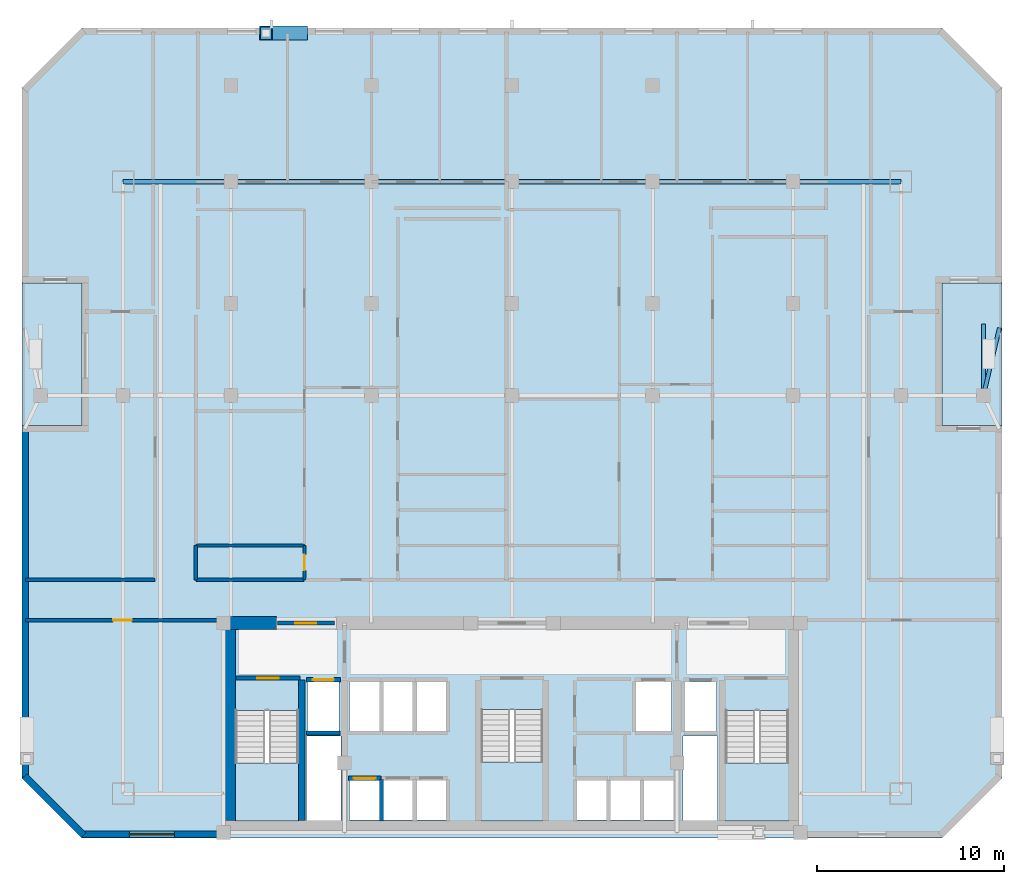
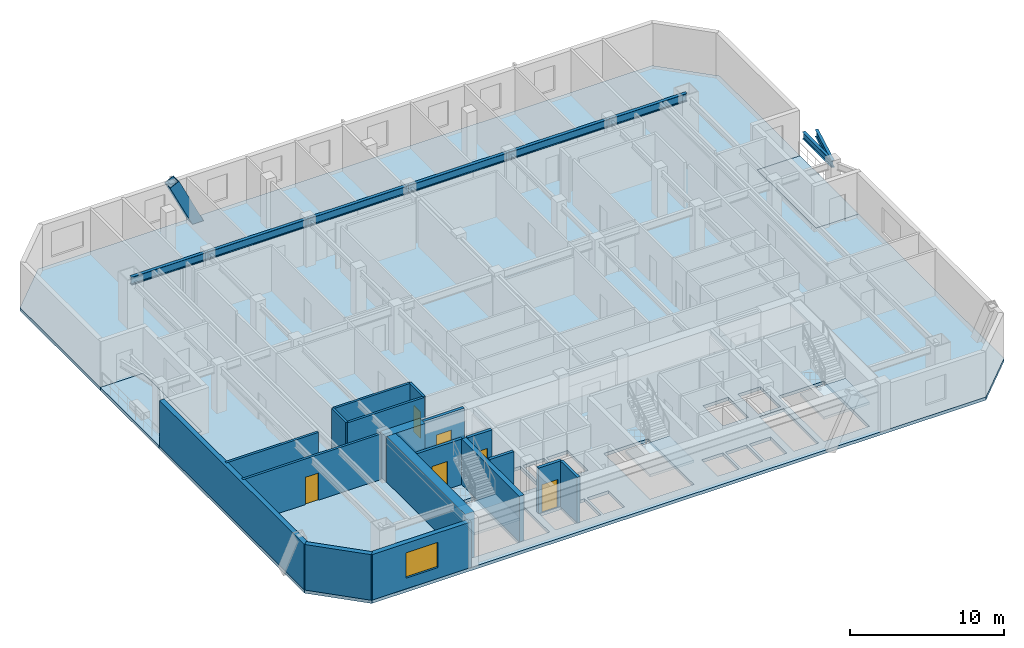
# One storey, part 2 of 9: 18 walls, 8 beams, 6 doors, 6 slabs, 1 member, 1 window, 7 openings, 3 elements without a shape of their own.
"""IFC4 building model written with IfcOpenShell, lengths in metres."""

from ifc_helpers import new_model, si_unit, direction, frame, frame_2d, origin, origin_2d, place, context, subcontext, project, spatial, polyline, rectangle, hollow_rectangle, i_section, outline, extrude, material, layer, layer_set, material_profile, profile_set, type_object, element, fill, aggregate, save


model = new_model("IFC4")

# Units and contexts
model_context = context("Model", 3, precision=1e-05, world=origin(), true_north=direction((0.0, 1.0)))
body_context = subcontext(model_context, "Body", "Model", "MODEL_VIEW")
ifc_project = project(units=[si_unit("LENGTHUNIT", "METRE"), si_unit("AREAUNIT", "SQUARE_METRE"), si_unit("VOLUMEUNIT", "CUBIC_METRE"), si_unit("PLANEANGLEUNIT", "RADIAN"), si_unit("MASSUNIT", "GRAM", prefix="KILO")], contexts=[model_context])

# Site, building, storey
site_placement = place(None, origin())
site = spatial("IfcSite", under=ifc_project, at=site_placement, CompositionType="ELEMENT")
building_placement = place(site_placement, origin())
building = spatial("IfcBuilding", under=site, at=building_placement, Name="Ventersveld Concourse Tower", CompositionType="ELEMENT")
storey_placement = place(building_placement, frame((0.0, 0.0, 115.699951171875)))
storey = spatial("IfcBuildingStorey", under=building, at=storey_placement, Name="L28", CompositionType="ELEMENT", Elevation=115.699951171875)

# Beams
ifc_material_1 = material(Name="Structural steel S355J2", Category="steel")
ifc_material_profile_1 = material_profile(ifc_material_1, i_section(OverallWidth=0.230224609375, OverallDepth=0.6171875, WebThickness=0.01318359375, FlangeThickness=0.022216796875, FilletRadius=0.0126953125, at=origin_2d()), Name="UB 610x229x140")
ifc_profile_set_1 = profile_set([ifc_material_profile_1], Name="Structural steel S355J2")
beam_type_1 = type_object("IfcBeamType", Name="GRD-UB610", PredefinedType="USERDEFINED", material=ifc_profile_set_1)
beam_1_placement = place(storey_placement, frame((8.0, 35.0, 3.29150390625), z_axis=(1.0, 0.0, 0.0), x_axis=(0.0, 1.0, 0.0)))
element("IfcBeam", 1, at=beam_1_placement, inside=storey, type_object=beam_type_1, Name="L28 E-W Grid Girder Y=35.00 #1", ObjectType="GIRDER", PredefinedType="USERDEFINED", context=body_context, shape_type="SweptSolid", body=[
    extrude(i_section(OverallWidth=0.230224609375, OverallDepth=0.6171875, WebThickness=0.01318359375, FlangeThickness=0.022216796875, FilletRadius=0.0126953125, at=origin_2d()), origin(), (0.0, 0.0, 1.0), 5.75),
])
for number, where, z_axis, x_axis, name in (
    (2, (13.75, 35.0, 3.29150390625), (1.0, 0.0, 0.0), (0.0, 1.0, 0.0), "L28 E-W Grid Girder Y=35.00 #2"),
    (3, (21.25, 35.0, 3.29150390625), (1.0, 0.0, 0.0), (0.0, 1.0, 0.0), "L28 E-W Grid Girder Y=35.00 #3"),
    (4, (28.75, 35.0, 3.29150390625), (1.0, 0.0, 0.0), (0.0, 1.0, 0.0), "L28 E-W Grid Girder Y=35.00 #4"),
    (5, (36.25, 35.0, 3.29150390625), (1.0, 0.0, 0.0), (0.0, 1.0, 0.0), "L28 E-W Grid Girder Y=35.00 #5"),
):
    element("IfcBeam", number, at=place(storey_placement, frame(where, z_axis=z_axis, x_axis=x_axis)), inside=storey, type_object=beam_type_1, Name=name, ObjectType="GIRDER", PredefinedType="USERDEFINED", context=body_context, shape_type="SweptSolid", body=[
        extrude(i_section(OverallWidth=0.230224609375, OverallDepth=0.6171875, WebThickness=0.01318359375, FlangeThickness=0.022216796875, FilletRadius=0.0126953125, at=origin_2d()), origin(), (0.0, 0.0, 1.0), 7.5),
    ])
beam_2_placement = place(storey_placement, frame((43.75, 35.0, 3.29150390625), z_axis=(1.0, 0.0, 0.0), x_axis=(0.0, 1.0, 0.0)))
element("IfcBeam", 6, at=beam_2_placement, inside=storey, type_object=beam_type_1, Name="L28 E-W Grid Girder Y=35.00 #6", ObjectType="GIRDER", PredefinedType="USERDEFINED", context=body_context, shape_type="SweptSolid", body=[
    extrude(i_section(OverallWidth=0.230224609375, OverallDepth=0.6171875, WebThickness=0.01318359375, FlangeThickness=0.022216796875, FilletRadius=0.0126953125, at=origin_2d()), origin(), (0.0, 0.0, 1.0), 5.75),
])

# Member
ifc_material_2 = material(Name="Structural steel S355ML", Category="steel")
ifc_material_profile_2 = material_profile(ifc_material_2, hollow_rectangle(XDim=0.75, YDim=0.75, WallThickness=0.044921875, at=origin_2d()), Name="BOX 750x750x45")
ifc_profile_set_2 = profile_set([ifc_material_profile_2], Name="Structural steel S355ML")
member_type = type_object("IfcMemberType", Name="MB-750x750", PredefinedType="BRACE", material=ifc_profile_set_2)
member_placement = place(storey_placement, frame((17.5, 42.919921875, -0.25), z_axis=(-0.437839464193, 0.0, 0.899053170616), x_axis=(0.0, -1.0, 0.0)))
element("IfcMember", 7, at=member_placement, inside=storey, type_object=member_type, Name="L28 Exterior Mega-Brace N (Module M06)", PredefinedType="BRACE", context=body_context, shape_type="SweptSolid", body=[
    extrude(hollow_rectangle(XDim=0.75, YDim=0.75, WallThickness=0.044921875, at=origin_2d()), origin(), (0.0, 0.0, 1.0), 4.282470703125),
])

# Beams
ifc_material_profile_3 = material_profile(ifc_material_1, i_section(OverallWidth=0.2119140625, OverallDepth=0.54443359375, WebThickness=0.0126953125, FlangeThickness=0.021240234375, FilletRadius=0.0126953125, at=origin_2d()), Name="UB 533x210x122")
ifc_profile_set_3 = profile_set([ifc_material_profile_3], Name="Structural steel S355J2")
beam_type_2 = type_object("IfcBeamType", Name="SPD-UB533", PredefinedType="SPANDREL", material=ifc_profile_set_3)
beam_3_placement = place(storey_placement, frame((53.89990234375, 23.60009765625, 3.32763671875), z_axis=(0.0, 1.0, 0.0), x_axis=(-1.0, 0.0, 0.0)))
element("IfcBeam", 8, at=beam_3_placement, inside=storey, type_object=beam_type_2, Name="L28 East Valley Spine Girder", PredefinedType="SPANDREL", context=body_context, shape_type="SweptSolid", body=[
    extrude(i_section(OverallWidth=0.2119140625, OverallDepth=0.54443359375, WebThickness=0.0126953125, FlangeThickness=0.021240234375, FilletRadius=0.0126953125, at=origin_2d()), origin(), (0.0, 0.0, 1.0), 3.7998046875),
])
beam_4_placement = place(storey_placement, frame((53.89990234375, 23.60009765625, 3.32763671875), z_axis=(0.229826547993, 0.973231605445, 0.0), x_axis=(-0.973231605445, 0.229826547993, 0.0)))
element("IfcBeam", 9, at=beam_4_placement, inside=storey, type_object=beam_type_2, Name="L28 East Valley Corner Bracket 2", PredefinedType="SPANDREL", context=body_context, shape_type="SweptSolid", body=[
    extrude(i_section(OverallWidth=0.2119140625, OverallDepth=0.54443359375, WebThickness=0.0126953125, FlangeThickness=0.021240234375, FilletRadius=0.0126953125, at=origin_2d()), origin(), (0.0, 0.0, 1.0), 3.698974609375),
])

# Slabs
ifc_material_3 = material(Name="Concrete C50/60", Category="concrete")
ifc_layer_1 = layer(ifc_material_3, 0.25)
ifc_layer_set_1 = layer_set([ifc_layer_1], Name="Concrete C50/60")
slab_type_1 = type_object("IfcSlabType", Name="SL-FLR-250", PredefinedType="FLOOR", material=ifc_layer_set_1)
slab_1_placement = place(storey_placement, frame((0.0, 0.0, -0.25)))
element("IfcSlab", 10, at=slab_1_placement, inside=storey, type_object=slab_type_1, Name="L28 Composite Floor Slab", PredefinedType="FLOOR", context=body_context, shape_type="SweptSolid", body=[
    extrude(outline(polyline([(5.800048828125, 0.0), (51.699951171875, 0.0), (54.89990234375, 3.199951171875), (54.89990234375, 22.0), (51.699951171875, 22.0), (51.699951171875, 29.60009765625), (54.89990234375, 29.60009765625), (54.89990234375, 40.0), (51.699951171875, 43.199951171875), (5.800048828125, 43.199951171875), (2.60009765625, 40.0), (2.60009765625, 29.60009765625), (5.800048828125, 29.60009765625), (5.800048828125, 22.0), (2.60009765625, 22.0), (2.60009765625, 3.199951171875), (5.800048828125, 0.0)]), holes=[polyline([(13.97998046875, 6.794921875), (13.97998046875, 0.89990234375), (17.3798828125, 0.89990234375), (17.3798828125, 6.794921875), (13.97998046875, 6.794921875)]), polyline([(40.1201171875, 6.794921875), (40.1201171875, 0.89990234375), (43.52001953125, 0.89990234375), (43.52001953125, 6.794921875), (40.1201171875, 6.794921875)]), polyline([(27.10009765625, 6.844970703125), (27.10009765625, 0.89990234375), (30.39990234375, 0.89990234375), (30.39990234375, 6.844970703125), (27.10009765625, 6.844970703125)]), polyline([(17.85009765625, 5.699951171875), (19.530029296875, 5.699951171875), (19.530029296875, 8.300048828125), (17.85009765625, 8.300048828125), (17.85009765625, 5.699951171875)]), polyline([(37.969970703125, 5.699951171875), (39.64990234375, 5.699951171875), (39.64990234375, 8.300048828125), (37.969970703125, 8.300048828125), (37.969970703125, 5.699951171875)]), polyline([(35.35009765625, 5.699951171875), (37.25, 5.699951171875), (37.25, 8.300048828125), (35.35009765625, 8.300048828125), (35.35009765625, 5.699951171875)]), polyline([(20.090087890625, 0.949951171875), (21.68994140625, 0.949951171875), (21.68994140625, 3.050048828125), (20.090087890625, 3.050048828125), (20.090087890625, 0.949951171875)]), polyline([(21.8701171875, 0.949951171875), (23.469970703125, 0.949951171875), (23.469970703125, 3.050048828125), (21.8701171875, 3.050048828125), (21.8701171875, 0.949951171875)]), polyline([(23.64990234375, 0.949951171875), (25.25, 0.949951171875), (25.25, 3.050048828125), (23.64990234375, 3.050048828125), (23.64990234375, 0.949951171875)]), polyline([(32.2099609375, 0.949951171875), (33.81005859375, 0.949951171875), (33.81005859375, 3.050048828125), (32.2099609375, 3.050048828125), (32.2099609375, 0.949951171875)]), polyline([(33.989990234375, 0.949951171875), (35.590087890625, 0.949951171875), (35.590087890625, 3.050048828125), (33.989990234375, 3.050048828125), (33.989990234375, 0.949951171875)]), polyline([(35.77001953125, 0.949951171875), (37.3701171875, 0.949951171875), (37.3701171875, 3.050048828125), (35.77001953125, 3.050048828125), (35.77001953125, 0.949951171875)]), polyline([(20.090087890625, 5.699951171875), (21.68994140625, 5.699951171875), (21.68994140625, 8.300048828125), (20.090087890625, 8.300048828125), (20.090087890625, 5.699951171875)]), polyline([(21.8701171875, 5.699951171875), (23.469970703125, 5.699951171875), (23.469970703125, 8.300048828125), (21.8701171875, 8.300048828125), (21.8701171875, 5.699951171875)]), polyline([(23.64990234375, 5.699951171875), (25.25, 5.699951171875), (25.25, 8.300048828125), (23.64990234375, 8.300048828125), (23.64990234375, 5.699951171875)]), polyline([(17.780029296875, 0.919921875), (19.6201171875, 0.919921875), (19.6201171875, 5.419921875), (17.780029296875, 5.419921875), (17.780029296875, 0.919921875)]), polyline([(37.8798828125, 0.919921875), (39.719970703125, 0.919921875), (39.719970703125, 5.419921875), (37.8798828125, 5.419921875), (37.8798828125, 0.919921875)])]), origin(), (0.0, 0.0, 1.0), 0.25),
])
slab_2_placement = place(storey_placement, frame((0.0, 0.0, -0.25)))
element("IfcSlab", 11, at=slab_2_placement, inside=storey, type_object=slab_type_1, Name="L28 Outdoor Terrace Slab NOTCH-W", PredefinedType="FLOOR", context=body_context, shape_type="SweptSolid", body=[
    extrude(outline(polyline([(2.60009765625, 22.0), (5.800048828125, 22.0), (5.800048828125, 29.60009765625), (2.60009765625, 29.60009765625), (2.60009765625, 22.0)])), origin(), (0.0, 0.0, 1.0), 0.25),
])
slab_3_placement = place(storey_placement, frame((0.0, 0.0, -0.25)))
element("IfcSlab", 12, at=slab_3_placement, inside=storey, type_object=slab_type_1, Name="L28 Outdoor Terrace Slab NOTCH-E", PredefinedType="FLOOR", context=body_context, shape_type="SweptSolid", body=[
    extrude(outline(polyline([(51.699951171875, 22.0), (54.89990234375, 22.0), (54.89990234375, 29.60009765625), (51.699951171875, 29.60009765625), (51.699951171875, 22.0)])), origin(), (0.0, 0.0, 1.0), 0.25),
])

# Stair, slab
stair_type_1 = type_object("IfcStairType", Name="ST-DOG-160", PredefinedType="HALF_TURN_STAIR", material=ifc_material_3)
stair_1_placement = place(storey_placement, origin())
stair_1 = element("IfcStair", 13, at=stair_1_placement, inside=storey, type_object=stair_type_1, Name="L28 Protected Tower Escape Stair ST-01", PredefinedType="HALF_TURN_STAIR")
ifc_layer_2 = layer(ifc_material_3, 0.199951171875)
ifc_layer_set_2 = layer_set([ifc_layer_2], Name="Concrete C50/60")
slab_type_2 = type_object("IfcSlabType", Name="SL-LND-200", PredefinedType="LANDING", material=ifc_layer_set_2)
slab_4_placement = place(storey_placement, frame((0.0, 0.0, 1.72509765625)))
slab_4 = element("IfcSlab", 14, at=slab_4_placement, type_object=slab_type_2, Name="ST-01 landing 1", PredefinedType="LANDING", context=body_context, shape_type="SweptSolid", body=[
    extrude(outline(polyline([(13.97998046875, 4.0), (13.97998046875, 0.89990234375), (17.3798828125, 0.89990234375), (17.3798828125, 4.0), (13.97998046875, 4.0)])), origin(), (0.0, 0.0, 1.0), 0.199951171875),
])
aggregate(stair_1, [slab_4])

stair_2_placement = place(storey_placement, origin())
stair_2 = element("IfcStair", 15, at=stair_2_placement, inside=storey, type_object=stair_type_1, Name="L28 Protected Tower Escape Stair ST-02", PredefinedType="HALF_TURN_STAIR")
slab_5_placement = place(storey_placement, frame((0.0, 0.0, 1.72509765625)))
slab_5 = element("IfcSlab", 16, at=slab_5_placement, type_object=slab_type_2, Name="ST-02 landing 1", PredefinedType="LANDING", context=body_context, shape_type="SweptSolid", body=[
    extrude(outline(polyline([(40.1201171875, 4.0), (40.1201171875, 0.89990234375), (43.52001953125, 0.89990234375), (43.52001953125, 4.0), (40.1201171875, 4.0)])), origin(), (0.0, 0.0, 1.0), 0.199951171875),
])
aggregate(stair_2, [slab_5])

stair_type_2 = type_object("IfcStairType", Name="ST-DOG-155", PredefinedType="HALF_TURN_STAIR", material=ifc_material_3)
stair_3_placement = place(storey_placement, origin())
stair_3 = element("IfcStair", 17, at=stair_3_placement, inside=storey, type_object=stair_type_2, Name="L28 Protected Central Core Escape Stair ST-03", PredefinedType="HALF_TURN_STAIR")
slab_6_placement = place(storey_placement, frame((0.0, 0.0, 1.72509765625)))
slab_6 = element("IfcSlab", 18, at=slab_6_placement, type_object=slab_type_2, Name="ST-03 landing 1", PredefinedType="LANDING", context=body_context, shape_type="SweptSolid", body=[
    extrude(outline(polyline([(27.10009765625, 4.050048828125), (27.10009765625, 0.89990234375), (30.39990234375, 0.89990234375), (30.39990234375, 4.050048828125), (27.10009765625, 4.050048828125)])), origin(), (0.0, 0.0, 1.0), 0.199951171875),
])
aggregate(stair_3, [slab_6])

# Walls
ifc_material_4 = material(Name="Concrete C60/75", Category="concrete")
ifc_layer_3 = layer(ifc_material_4, 0.35009765625)
ifc_layer_set_3 = layer_set([ifc_layer_3], Name="Concrete C60/75")
wall_type_1 = type_object("IfcWallType", Name="WL-CORE-350L", PredefinedType="SHEAR", material=ifc_layer_set_3)
wall_1_placement = place(storey_placement, frame((17.5400390625, 0.919921875, 0.0), z_axis=(0.0, 0.0, 1.0), x_axis=(0.0, 1.0, 0.0)))
element("IfcWall", 19, at=wall_1_placement, inside=storey, type_object=wall_type_1, Name="L28 Core Internal Shear Web W-ST1-E", PredefinedType="SHEAR", context=body_context, shape_type="SweptSolid", body=[
    extrude(rectangle(XDim=7.5, YDim=0.35009765625, at=frame_2d((3.75, 0.0))), origin(), (0.0, 0.0, 1.0), 3.60009765625),
])
ifc_layer_4 = layer(ifc_material_4, 0.699951171875)
ifc_layer_set_4 = layer_set([ifc_layer_4], Name="Concrete C60/75")
wall_type_2 = type_object("IfcWallType", Name="WL-CORE-700", PredefinedType="SHEAR", material=ifc_layer_set_4)
wall_2_placement = place(storey_placement, frame((13.64990234375, 0.919921875, 0.0), z_axis=(0.0, 0.0, 1.0), x_axis=(0.0, 1.0, 0.0)))
element("IfcWall", 20, at=wall_2_placement, inside=storey, type_object=wall_type_2, Name="L28 Rear Core West Shear Wall", PredefinedType="SHEAR", context=body_context, shape_type="SweptSolid", body=[
    extrude(rectangle(XDim=10.530029296875, YDim=0.699951171875, at=frame_2d((5.26513671875, 0.0))), origin(), (0.0, 0.0, 1.0), 3.60009765625),
])
wall_3_placement = place(storey_placement, frame((13.25, 11.449951171875, 0.0), z_axis=(0.0, 0.0, 1.0), x_axis=(1.0, 0.0, 0.0)))
element("IfcWall", 21, at=wall_3_placement, inside=storey, type_object=wall_type_2, Name="L28 Rear Core North Shear Wall NW", PredefinedType="SHEAR", context=body_context, shape_type="SweptSolid", body=[
    extrude(rectangle(XDim=2.949951171875, YDim=0.699951171875, at=frame_2d((1.47509765625, 0.0))), origin(), (0.0, 0.0, 1.0), 3.60009765625),
])

# Wall, opening, door
ifc_material_5 = material(Name="Fire-rated autoclaved aerated masonry blockwork", Category="masonry")
ifc_layer_5 = layer(ifc_material_5, 0.179931640625)
ifc_layer_set_5 = layer_set([ifc_layer_5], Name="Fire-rated autoclaved aerated masonry blockwork")
wall_type_3 = type_object("IfcWallType", Name="WL-CORR-180", PredefinedType="PARTITIONING", material=ifc_layer_set_5)
wall_4_placement = place(storey_placement, frame((2.81005859375, 11.60009765625, 0.0), z_axis=(0.0, 0.0, 1.0), x_axis=(1.0, 0.0, 0.0)))
wall_4 = element("IfcWall", 22, at=wall_4_placement, inside=storey, type_object=wall_type_3, Name="L28 Interior Partition SP-L28-SW-GAL-SP-L28-COR", PredefinedType="PARTITIONING", context=body_context, shape_type="SweptSolid", body=[
    extrude(rectangle(XDim=10.3349609375, YDim=0.179931640625, at=frame_2d((5.16748046875, 0.0))), origin(), (0.0, 0.0, 1.0), 3.60009765625),
])
opening_1_placement = place(wall_4_placement, frame((4.66748046875, 0.0, 0.0)))
opening_1 = element("IfcOpeningElement", 23, at=opening_1_placement, cuts=wall_4, Name="Opening FD3", PredefinedType="OPENING", context=body_context, shape_type="SweptSolid", body=[
    extrude(rectangle(XDim=1.0, YDim=2.14990234375, at=frame_2d((0.5, 1.074951171875))), frame((0.0, 0.10009765625, 0.0), z_axis=(0.0, -1.0, 0.0), x_axis=(1.0, 0.0, 0.0)), (0.0, 0.0, 1.0), 0.199951171875),
])
ifc_material_6 = material(Name="Solid-core hardwood veneer timber", Category="wood")
door_type_1 = type_object("IfcDoorType", Name="DR-FLAT-100", OperationType="NOTDEFINED", PredefinedType="DOOR", material=ifc_material_6)
door_1_placement = place(opening_1_placement, origin())
door_1 = element("IfcDoor", 24, at=door_1_placement, inside=storey, type_object=door_type_1, Name="L28 Interior Door SP-L28-SW-GAL to SP-L28-COR (D-L28-1384)", OperationType="SINGLE_SWING_RIGHT", OverallHeight=2.14990234375, OverallWidth=1.0, PredefinedType="DOOR", context=body_context, shape_type="SweptSolid", body=[
    extrude(rectangle(XDim=1.0, YDim=2.14990234375, at=frame_2d((0.5, 1.074951171875))), frame((0.0, 0.02490234375, 0.0), z_axis=(0.0, -1.0, 0.0), x_axis=(1.0, 0.0, 0.0)), (0.0, 0.0, 1.0), 0.050048828125),
])
fill(opening_1, door_1)

# Walls
wall_5_placement = place(storey_placement, frame((2.81005859375, 13.77001953125, 0.0), z_axis=(0.0, 0.0, 1.0), x_axis=(1.0, 0.0, 0.0)))
element("IfcWall", 25, at=wall_5_placement, inside=storey, type_object=wall_type_3, Name="L28 Interior Partition SP-L28-COR-SP-L28-NWLNG1", PredefinedType="PARTITIONING", context=body_context, shape_type="SweptSolid", body=[
    extrude(rectangle(XDim=6.905029296875, YDim=0.179931640625, at=frame_2d((3.45263671875, 0.0))), origin(), (0.0, 0.0, 1.0), 3.60009765625),
])
wall_6_placement = place(storey_placement, frame((11.885009765625, 13.77001953125, 0.0), z_axis=(0.0, 0.0, 1.0), x_axis=(1.0, 0.0, 0.0)))
element("IfcWall", 26, at=wall_6_placement, inside=storey, type_object=wall_type_3, Name="L28 Interior Partition SP-L28-COR-SP-L28-28N1-BATH", PredefinedType="PARTITIONING", context=body_context, shape_type="SweptSolid", body=[
    extrude(rectangle(XDim=5.761474609375, YDim=0.179931640625, at=frame_2d((2.880859375, 0.0))), origin(), (0.0, 0.0, 1.0), 3.60009765625),
])
wall_7_placement = place(storey_placement, frame((11.889892578125, 13.764892578125, 0.0), z_axis=(0.0, 0.0, 1.0), x_axis=(0.0, 1.0, 0.0)))
element("IfcWall", 27, at=wall_7_placement, inside=storey, type_object=wall_type_3, Name="L28 Interior Partition SP-L28-COR-SP-L28-28N1-BATH", PredefinedType="PARTITIONING", context=body_context, shape_type="SweptSolid", body=[
    extrude(rectangle(XDim=1.840087890625, YDim=0.179931640625, at=frame_2d((0.919921875, 0.0))), origin(), (0.0, 0.0, 1.0), 3.60009765625),
])
ifc_layer_6 = layer(ifc_material_5, 0.219970703125)
ifc_layer_set_6 = layer_set([ifc_layer_6], Name="Fire-rated autoclaved aerated masonry blockwork")
wall_type_4 = type_object("IfcWallType", Name="WL-HOIST-220", PredefinedType="SOLIDWALL", material=ifc_layer_set_6)
wall_8_placement = place(storey_placement, frame((17.800048828125, 5.590087890625, 0.0), z_axis=(0.0, 0.0, 1.0), x_axis=(1.0, 0.0, 0.0)))
element("IfcWall", 28, at=wall_8_placement, inside=storey, type_object=wall_type_4, Name="L28 Lift Hoistway Back Wall FFL-01", PredefinedType="SOLIDWALL", context=body_context, shape_type="SweptSolid", body=[
    extrude(rectangle(XDim=1.780029296875, YDim=0.219970703125, at=frame_2d((0.89013671875, 0.0))), origin(), (0.0, 0.0, 1.0), 3.60009765625),
])

# Wall, opening, door
wall_9_placement = place(storey_placement, frame((17.780029296875, 8.429931640625, 0.0), z_axis=(0.0, 0.0, 1.0), x_axis=(1.0, 0.0, 0.0)))
wall_9 = element("IfcWall", 29, at=wall_9_placement, inside=storey, type_object=wall_type_4, Name="L28 Lift Hoistway Front Wall FFL-01", PredefinedType="SOLIDWALL", context=body_context, shape_type="SweptSolid", body=[
    extrude(rectangle(XDim=1.820068359375, YDim=0.219970703125, at=frame_2d((0.91015625, 0.0))), origin(), (0.0, 0.0, 1.0), 3.60009765625),
])
opening_2_placement = place(wall_9_placement, frame((0.35009765625, 0.0, 0.0)))
opening_2 = element("IfcOpeningElement", 30, at=opening_2_placement, cuts=wall_9, Name="Opening LD1", PredefinedType="OPENING", context=body_context, shape_type="SweptSolid", body=[
    extrude(rectangle(XDim=1.1201171875, YDim=2.25, at=frame_2d((0.56005859375, 1.125))), frame((0.0, 0.1201171875, 0.0), z_axis=(0.0, -1.0, 0.0), x_axis=(1.0, 0.0, 0.0)), (0.0, 0.0, 1.0), 0.239990234375),
])
ifc_material_7 = material(Name="Brushed stainless steel 316", Category="steel")
door_type_2 = type_object("IfcDoorType", Name="LD-FF-112", OperationType="SLIDING_TO_LEFT", PredefinedType="DOOR", material=ifc_material_7)
door_2_placement = place(opening_2_placement, origin())
door_2 = element("IfcDoor", 31, at=door_2_placement, inside=storey, type_object=door_type_2, Name="L28 Lift landing door FFL-01 (LD-L28-FFL-01)", OperationType="SLIDING_TO_LEFT", OverallHeight=2.25, OverallWidth=1.1201171875, PredefinedType="DOOR", context=body_context, shape_type="SweptSolid", body=[
    extrude(rectangle(XDim=1.1201171875, YDim=2.25, at=frame_2d((0.56005859375, 1.125))), frame((0.0, 0.02490234375, 0.0), z_axis=(0.0, -1.0, 0.0), x_axis=(1.0, 0.0, 0.0)), (0.0, 0.0, 1.0), 0.050048828125),
])
fill(opening_2, door_2)

# Wall
wall_10_placement = place(storey_placement, frame((21.780029296875, 0.89990234375, 0.0), z_axis=(0.0, 0.0, 1.0), x_axis=(0.0, 1.0, 0.0)))
element("IfcWall", 32, at=wall_10_placement, inside=storey, type_object=wall_type_4, Name="L28 Lift Hoistway Side Wall PL-01E", PredefinedType="SOLIDWALL", context=body_context, shape_type="SweptSolid", body=[
    extrude(rectangle(XDim=2.2001953125, YDim=0.219970703125, at=frame_2d((1.10009765625, 0.0))), origin(), (0.0, 0.0, 1.0), 3.60009765625),
])

# Wall, opening, door
wall_11_placement = place(storey_placement, frame((20.02001953125, 3.179931640625, 0.0), z_axis=(0.0, 0.0, 1.0), x_axis=(1.0, 0.0, 0.0)))
wall_11 = element("IfcWall", 33, at=wall_11_placement, inside=storey, type_object=wall_type_4, Name="L28 Lift Hoistway Front Wall PL-01", PredefinedType="SOLIDWALL", context=body_context, shape_type="SweptSolid", body=[
    extrude(rectangle(XDim=1.739990234375, YDim=0.219970703125, at=frame_2d((0.8701171875, 0.0))), origin(), (0.0, 0.0, 1.0), 3.60009765625),
])
opening_3_placement = place(wall_11_placement, frame((0.280029296875, 0.0, 0.0)))
opening_3 = element("IfcOpeningElement", 34, at=opening_3_placement, cuts=wall_11, Name="Opening LD2", PredefinedType="OPENING", context=body_context, shape_type="SweptSolid", body=[
    extrude(rectangle(XDim=1.179931640625, YDim=2.199951171875, at=frame_2d((0.58984375, 1.10009765625))), frame((0.0, 0.1201171875, 0.0), z_axis=(0.0, -1.0, 0.0), x_axis=(1.0, 0.0, 0.0)), (0.0, 0.0, 1.0), 0.239990234375),
])
door_type_3 = type_object("IfcDoorType", Name="LD-PAX-118", OperationType="SLIDING_TO_LEFT", PredefinedType="DOOR", material=ifc_material_7)
door_3_placement = place(opening_3_placement, origin())
door_3 = element("IfcDoor", 35, at=door_3_placement, inside=storey, type_object=door_type_3, Name="L28 Lift landing door PL-01 (LD-L28-PL-01)", OperationType="SLIDING_TO_RIGHT", OverallHeight=2.199951171875, OverallWidth=1.179931640625, PredefinedType="DOOR", context=body_context, shape_type="SweptSolid", body=[
    extrude(rectangle(XDim=1.179931640625, YDim=2.199951171875, at=frame_2d((0.58984375, 1.10009765625))), frame((0.0, 0.02490234375, 0.0), z_axis=(0.0, -1.0, 0.0), x_axis=(1.0, 0.0, 0.0)), (0.0, 0.0, 1.0), 0.050048828125),
])
fill(opening_3, door_3)

wall_12_placement = place(storey_placement, frame((14.0400390625, 8.52001953125, 0.0), z_axis=(0.0, 0.0, 1.0), x_axis=(1.0, 0.0, 0.0)))
wall_12 = element("IfcWall", 36, at=wall_12_placement, inside=storey, type_object=wall_type_4, Name="L28 Escape Stair ST01 Fire Wall", PredefinedType="SOLIDWALL", context=body_context, shape_type="SweptSolid", body=[
    extrude(rectangle(XDim=3.39990234375, YDim=0.219970703125, at=frame_2d((1.699951171875, 0.0))), origin(), (0.0, 0.0, 1.0), 3.60009765625),
])
opening_4_placement = place(wall_12_placement, frame((1.125, 0.0, 0.0)))
opening_4 = element("IfcOpeningElement", 37, at=opening_4_placement, cuts=wall_12, Name="Opening FD1", PredefinedType="OPENING", context=body_context, shape_type="SweptSolid", body=[
    extrude(rectangle(XDim=1.14990234375, YDim=2.199951171875, at=frame_2d((0.574951171875, 1.10009765625))), frame((0.0, 0.1201171875, 0.0), z_axis=(0.0, -1.0, 0.0), x_axis=(1.0, 0.0, 0.0)), (0.0, 0.0, 1.0), 0.239990234375),
])
ifc_material_8 = material(Name="Galvanised painted steel", Category="steel")
door_type_4 = type_object("IfcDoorType", Name="DR-STAIR-115", OperationType="NOTDEFINED", PredefinedType="DOOR", material=ifc_material_8)
door_4_placement = place(opening_4_placement, origin())
door_4 = element("IfcDoor", 38, at=door_4_placement, inside=storey, type_object=door_type_4, Name="L28 Escape Stair Door ST01 (SD-L28-1374)", OperationType="SINGLE_SWING_LEFT", OverallHeight=2.199951171875, OverallWidth=1.14990234375, PredefinedType="DOOR", context=body_context, shape_type="SweptSolid", body=[
    extrude(rectangle(XDim=1.14990234375, YDim=2.199951171875, at=frame_2d((0.574951171875, 1.10009765625))), frame((0.0, 0.02490234375, 0.0), z_axis=(0.0, -1.0, 0.0), x_axis=(1.0, 0.0, 0.0)), (0.0, 0.0, 1.0), 0.050048828125),
])
fill(opening_4, door_4)

wall_13_placement = place(storey_placement, frame((16.22998046875, 11.449951171875, 0.0), z_axis=(0.0, 0.0, 1.0), x_axis=(1.0, 0.0, 0.0)))
wall_13 = element("IfcWall", 39, at=wall_13_placement, inside=storey, type_object=wall_type_4, Name="L28 Core North Fire Portal FFLW-OUT", PredefinedType="SOLIDWALL", context=body_context, shape_type="SweptSolid", body=[
    extrude(rectangle(XDim=3.0400390625, YDim=0.219970703125, at=frame_2d((1.52001953125, 0.0))), origin(), (0.0, 0.0, 1.0), 3.60009765625),
])
opening_5_placement = place(wall_13_placement, frame((0.969970703125, 0.0, 0.0)))
opening_5 = element("IfcOpeningElement", 40, at=opening_5_placement, cuts=wall_13, Name="Opening FD2", PredefinedType="OPENING", context=body_context, shape_type="SweptSolid", body=[
    extrude(rectangle(XDim=1.10009765625, YDim=2.199951171875, at=frame_2d((0.550048828125, 1.10009765625))), frame((0.0, 0.1201171875, 0.0), z_axis=(0.0, -1.0, 0.0), x_axis=(1.0, 0.0, 0.0)), (0.0, 0.0, 1.0), 0.239990234375),
])
door_type_5 = type_object("IfcDoorType", Name="DR-FFL-110", OperationType="NOTDEFINED", PredefinedType="DOOR", material=ifc_material_8)
door_5_placement = place(opening_5_placement, origin())
door_5 = element("IfcDoor", 41, at=door_5_placement, inside=storey, type_object=door_type_5, Name="L28 Core Lobby Fire Door FFLW-OUT (FD-L28-1379)", OperationType="SINGLE_SWING_RIGHT", OverallHeight=2.199951171875, OverallWidth=1.10009765625, PredefinedType="DOOR", context=body_context, shape_type="SweptSolid", body=[
    extrude(rectangle(XDim=1.10009765625, YDim=2.199951171875, at=frame_2d((0.550048828125, 1.10009765625))), frame((0.0, 0.02490234375, 0.0), z_axis=(0.0, -1.0, 0.0), x_axis=(1.0, 0.0, 0.0)), (0.0, 0.0, 1.0), 0.050048828125),
])
fill(opening_5, door_5)

# Wall, opening, window
ifc_material_9 = material(Name="Precast concrete C45/55", Category="concrete")
ifc_layer_7 = layer(ifc_material_9, 0.35009765625)
ifc_layer_set_7 = layer_set([ifc_layer_7], Name="Precast concrete C45/55")
wall_type_5 = type_object("IfcWallType", Name="WL-PREC-350", PredefinedType="SOLIDWALL", material=ifc_layer_set_7)
wall_14_placement = place(storey_placement, frame((5.840087890625, 0.179931640625, 0.0), z_axis=(0.0, 0.0, 1.0), x_axis=(1.0, 0.0, 0.0)))
wall_14 = element("IfcWall", 42, at=wall_14_placement, inside=storey, type_object=wall_type_5, Name="L28 South-West Flank Precast Wall", PredefinedType="SOLIDWALL", context=body_context, shape_type="SweptSolid", body=[
    extrude(rectangle(XDim=7.409912109375, YDim=0.35009765625, at=frame_2d((3.705078125, 0.0))), origin(), (0.0, 0.0, 1.0), 3.60009765625),
])
opening_6_placement = place(wall_14_placement, frame((2.5048828125, 0.0, 0.85009765625)))
opening_6 = element("IfcOpeningElement", 43, at=opening_6_placement, cuts=wall_14, Name="Opening W5", PredefinedType="OPENING", context=body_context, shape_type="SweptSolid", body=[
    extrude(rectangle(XDim=2.39990234375, YDim=2.0, at=frame_2d((1.199951171875, 1.0))), frame((0.0, 0.18505859375, 0.0), z_axis=(0.0, -1.0, 0.0), x_axis=(1.0, 0.0, 0.0)), (0.0, 0.0, 1.0), 0.3701171875),
])
ifc_material_10 = material(Name="Tempered acoustic Low-E IGU", Category="glass")
window_type = type_object("IfcWindowType", Name="WIN-240x210", PartitioningType="SINGLE_PANEL", PredefinedType="WINDOW", material=ifc_material_10)
window_placement = place(opening_6_placement, origin())
window = element("IfcWindow", 44, at=window_placement, inside=storey, type_object=window_type, Name="L28 Punched Low-E Window W-0341", OverallHeight=2.0, OverallWidth=2.39990234375, PartitioningType="SINGLE_PANEL", PredefinedType="WINDOW", context=body_context, shape_type="SweptSolid", body=[
    extrude(rectangle(XDim=2.39990234375, YDim=2.0, at=frame_2d((1.199951171875, 1.0))), frame((0.0, 0.030029296875, 0.0), z_axis=(0.0, -1.0, 0.0), x_axis=(1.0, 0.0, 0.0)), (0.0, 0.0, 1.0), 0.06005859375),
])
fill(opening_6, window)

# Walls
wall_15_placement = place(storey_placement, frame((2.77490234375, 21.9599609375, 0.0), z_axis=(0.0, 0.0, 1.0), x_axis=(0.0, -1.0, 0.0)))
element("IfcWall", 45, at=wall_15_placement, inside=storey, type_object=wall_type_5, Name="L28 Highveld Precast Facade Wall E15", PredefinedType="SOLIDWALL", context=body_context, shape_type="SweptSolid", body=[
    extrude(rectangle(XDim=18.719970703125, YDim=0.35009765625, at=frame_2d((9.35986328125, 0.0))), origin(), (0.0, 0.0, 1.0), 3.60009765625),
])
wall_16_placement = place(storey_placement, frame((2.751953125, 3.29541015625, 0.0), z_axis=(0.0, 0.0, 1.0), x_axis=(0.707134240044, -0.707079321262, 0.0)))
element("IfcWall", 46, at=wall_16_placement, inside=storey, type_object=wall_type_5, Name="L28 Highveld Precast Facade Wall E16", PredefinedType="SOLIDWALL", context=body_context, shape_type="SweptSolid", body=[
    extrude(rectangle(XDim=4.445556640625, YDim=0.35009765625, at=frame_2d((2.22265625, 0.0))), origin(), (0.0, 0.0, 1.0), 3.60009765625),
])

# Wall, opening, door
ifc_material_11 = material(Name="Autoclaved aerated masonry blockwork", Category="masonry")
ifc_layer_8 = layer(ifc_material_11, 0.1650390625)
ifc_layer_set_8 = layer_set([ifc_layer_8], Name="Autoclaved aerated masonry blockwork")
wall_type_6 = type_object("IfcWallType", Name="WL-WET-165", PredefinedType="PLUMBINGWALL", material=ifc_layer_set_8)
wall_17_placement = place(storey_placement, frame((17.681396484375, 13.764892578125, 0.0), z_axis=(0.0, 0.0, 1.0), x_axis=(0.0, 1.0, 0.0)))
wall_17 = element("IfcWall", 47, at=wall_17_placement, inside=storey, type_object=wall_type_6, Name="L28 Interior Partition SP-L28-28N1-FOY-SP-L28-28N1-BATH", PredefinedType="PLUMBINGWALL", context=body_context, shape_type="SweptSolid", body=[
    extrude(rectangle(XDim=1.840087890625, YDim=0.1650390625, at=frame_2d((0.919921875, 0.0))), origin(), (0.0, 0.0, 1.0), 3.60009765625),
])
opening_7_placement = place(wall_17_placement, frame((0.4951171875, 0.0, 0.0)))
opening_7 = element("IfcOpeningElement", 48, at=opening_7_placement, cuts=wall_17, Name="Opening ID2", PredefinedType="OPENING", context=body_context, shape_type="SweptSolid", body=[
    extrude(rectangle(XDim=0.85009765625, YDim=2.10009765625, at=frame_2d((0.425048828125, 1.050048828125))), frame((0.0, 0.092529296875, 0.0), z_axis=(0.0, -1.0, 0.0), x_axis=(1.0, 0.0, 0.0)), (0.0, 0.0, 1.0), 0.18505859375),
])
door_type_6 = type_object("IfcDoorType", Name="DR-BATH-085", OperationType="NOTDEFINED", PredefinedType="DOOR", material=ifc_material_6)
door_6_placement = place(opening_7_placement, origin())
door_6 = element("IfcDoor", 49, at=door_6_placement, inside=storey, type_object=door_type_6, Name="L28 Interior Door SP-L28-28N1-FOY to SP-L28-28N1-BATH (D-L28-1393)", OperationType="SINGLE_SWING_LEFT", OverallHeight=2.10009765625, OverallWidth=0.85009765625, PredefinedType="DOOR", context=body_context, shape_type="SweptSolid", body=[
    extrude(rectangle(XDim=0.85009765625, YDim=2.10009765625, at=frame_2d((0.425048828125, 1.050048828125))), frame((0.0, 0.02490234375, 0.0), z_axis=(0.0, -1.0, 0.0), x_axis=(1.0, 0.0, 0.0)), (0.0, 0.0, 1.0), 0.050048828125),
])
fill(opening_7, door_6)

# Wall
wall_18_placement = place(storey_placement, frame((11.885009765625, 15.60009765625, 0.0), z_axis=(0.0, 0.0, 1.0), x_axis=(1.0, 0.0, 0.0)))
element("IfcWall", 50, at=wall_18_placement, inside=storey, type_object=wall_type_6, Name="L28 Interior Partition SP-L28-28N1-BATH-SP-L28-28N1-OFFL0", PredefinedType="PLUMBINGWALL", context=body_context, shape_type="SweptSolid", body=[
    extrude(rectangle(XDim=5.801513671875, YDim=0.1650390625, at=frame_2d((2.90087890625, 0.0))), origin(), (0.0, 0.0, 1.0), 3.60009765625),
])

save(model, "model.ifc")
